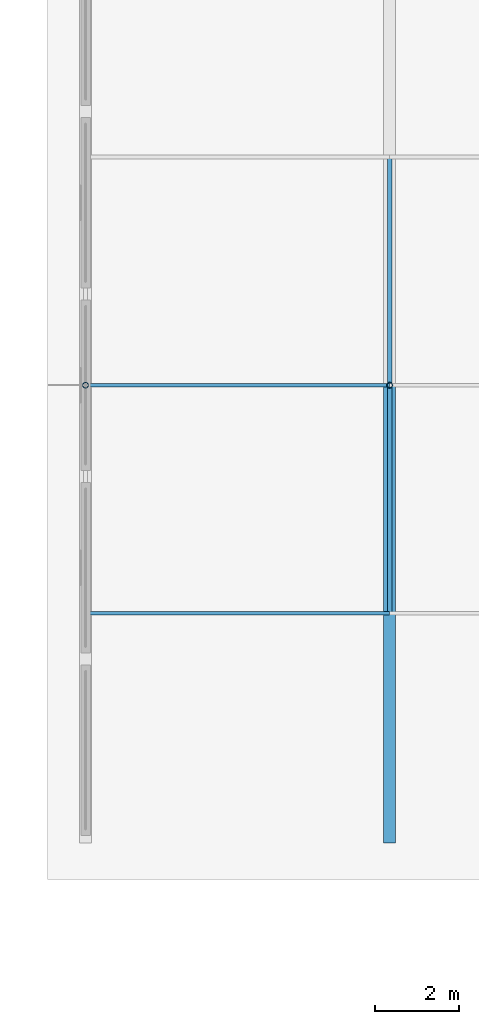
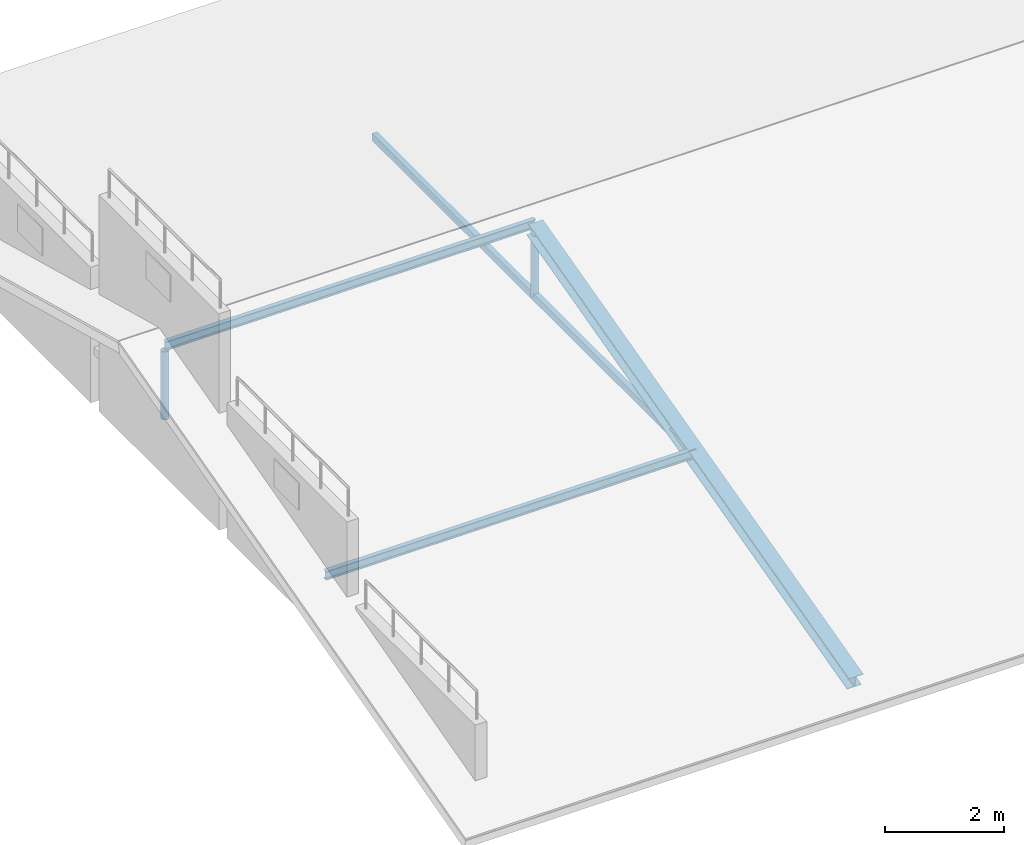
# One storey, part 24 of 124: 6 members.
"""IFC4 building model written with IfcOpenShell, lengths in metres."""

from ifc_helpers import new_model, si_unit, direction, frame, origin, origin_2d, place, context, subcontext, project, spatial, hollow_rectangle, hollow_circle, i_section, extrude, material, material_profile, profile_set, type_object, element, save


model = new_model("IFC4")

# Units and contexts
model_context = context("Model", 3, precision=1e-05, world=origin(), true_north=direction((0.0, 1.0)))
body_context = subcontext(model_context, "Body", "Model", "MODEL_VIEW")
ifc_project = project(units=[si_unit("LENGTHUNIT", "METRE"), si_unit("AREAUNIT", "SQUARE_METRE"), si_unit("VOLUMEUNIT", "CUBIC_METRE"), si_unit("PLANEANGLEUNIT", "RADIAN"), si_unit("MASSUNIT", "GRAM", prefix="KILO"), si_unit("THERMODYNAMICTEMPERATUREUNIT", "KELVIN"), si_unit("POWERUNIT", "WATT")], contexts=[model_context])

# Site, building, storey
site_placement = place(None, origin())
site = spatial("IfcSite", under=ifc_project, at=site_placement, CompositionType="ELEMENT")
building_placement = place(site_placement, origin())
building = spatial("IfcBuilding", under=site, at=building_placement, Name="Tavuni Mirador Residences", CompositionType="ELEMENT")
storey_placement = place(building_placement, frame((0.0, 0.0, 7.64990234375)))
storey = spatial("IfcBuildingStorey", under=building, at=storey_placement, Name="L02", CompositionType="ELEMENT", Elevation=7.64990234375)

# Members
ifc_material = material(Name="Structural steel S355", Category="steel")
ifc_material_profile_1 = material_profile(ifc_material, hollow_circle(Radius=0.06982421875, WallThickness=0.008056640625, at=origin_2d()), Name="CHS 139.7x8.0", Category="steel")
ifc_profile_set_1 = profile_set([ifc_material_profile_1], Name="Structural steel S355")
member_type_1 = type_object("IfcMemberType", Name="MT-BR-CHS139", PredefinedType="BRACE", material=ifc_profile_set_1)
for number, where, z_axis, x_axis, name in (
    (1, (90.0, 54.0, 1.050048828125), (0.0, 0.0, 1.0), (1.0, 0.0, 0.0), "RKP-PAV-NURS-00"),
    (2, (97.199951171875, 54.0, 1.050048828125), (0.0, 0.0, 1.0), (1.0, 0.0, 0.0), "RKP-PAV-NURS-01"),
):
    element("IfcMember", number, at=place(storey_placement, frame(where, z_axis=z_axis, x_axis=x_axis)), inside=storey, type_object=member_type_1, Name=name, PredefinedType="BRACE", context=body_context, shape_type="SweptSolid", body=[
        extrude(hollow_circle(Radius=0.06982421875, WallThickness=0.008056640625, at=origin_2d()), origin(), (0.0, 0.0, 1.0), 1.400146484375),
    ])
ifc_material_profile_2 = material_profile(ifc_material, hollow_rectangle(XDim=0.10009765625, YDim=0.14990234375, WallThickness=0.008056640625, at=origin_2d()), Name="RHS 150x100x8.0", Category="steel")
ifc_profile_set_2 = profile_set([ifc_material_profile_2], Name="Structural steel S355")
member_type_2 = type_object("IfcMemberType", Name="MT-BR-RHS150", PredefinedType="BRACE", material=ifc_profile_set_2)
member_1_placement = place(storey_placement, frame((97.199951171875, 48.60009765625, 1.050048828125), z_axis=(0.0, 1.0, 0.0), x_axis=(-1.0, 0.0, 0.0)))
element("IfcMember", 3, at=member_1_placement, inside=storey, type_object=member_type_2, Name="RTIE-PAV-NURS-01", PredefinedType="BRACE", context=body_context, shape_type="SweptSolid", body=[
    extrude(hollow_rectangle(XDim=0.10009765625, YDim=0.14990234375, WallThickness=0.008056640625, at=origin_2d()), origin(), (0.0, 0.0, 1.0), 10.7998046875),
])
ifc_material_profile_3 = material_profile(ifc_material, i_section(OverallWidth=0.280029296875, OverallDepth=0.27001953125, WebThickness=0.008056640625, FlangeThickness=0.012939453125, FilletRadius=0.02392578125, at=origin_2d()), Name="HEA 280", Category="steel")
ifc_profile_set_3 = profile_set([ifc_material_profile_3], Name="Structural steel S355")
member_type_3 = type_object("IfcMemberType", Name="MT-CH-HEA280", PredefinedType="CHORD", material=ifc_profile_set_3)
member_2_placement = place(storey_placement, frame((97.199951171875, 43.199951171875, -0.349853515625), z_axis=(0.0, 0.967996110632, 0.250965196393), x_axis=(-1.0, 0.0, 0.0)))
element("IfcMember", 4, at=member_2_placement, inside=storey, type_object=member_type_3, Name="RAF-PAV-NURS-01-S", PredefinedType="CHORD", context=body_context, shape_type="SweptSolid", body=[
    extrude(i_section(OverallWidth=0.280029296875, OverallDepth=0.27001953125, WebThickness=0.008056640625, FlangeThickness=0.012939453125, FilletRadius=0.02392578125, at=origin_2d()), origin(), (0.0, 0.0, 1.0), 11.1572265625),
])
ifc_material_profile_4 = material_profile(ifc_material, i_section(OverallWidth=0.091064453125, OverallDepth=0.179931640625, WebThickness=0.00537109375, FlangeThickness=0.008056640625, FilletRadius=0.009033203125, at=origin_2d()), Name="IPE 180", Category="steel")
ifc_profile_set_4 = profile_set([ifc_material_profile_4], Name="Structural steel S355")
member_type_4 = type_object("IfcMemberType", Name="MT-PR-IPE180", PredefinedType="PURLIN", material=ifc_profile_set_4)
for number, where, z_axis, x_axis, name in (
    (5, (90.0, 48.60009765625, 1.09521484375), (1.0, 0.0, 0.0), (0.0, 1.0, 0.0), "RPUR-PAV-NURS-25-00"),
    (6, (90.0, 54.0, 2.545166015625), (1.0, 0.0, 0.0), (0.0, 1.0, 0.0), "RPUR-PAV-NURS-50-00"),
):
    element("IfcMember", number, at=place(storey_placement, frame(where, z_axis=z_axis, x_axis=x_axis)), inside=storey, type_object=member_type_4, Name=name, PredefinedType="PURLIN", context=body_context, shape_type="SweptSolid", body=[
        extrude(i_section(OverallWidth=0.091064453125, OverallDepth=0.179931640625, WebThickness=0.00537109375, FlangeThickness=0.008056640625, FilletRadius=0.009033203125, at=origin_2d()), origin(), (0.0, 0.0, 1.0), 7.199951171875),
    ])

save(model, "model.ifc")
